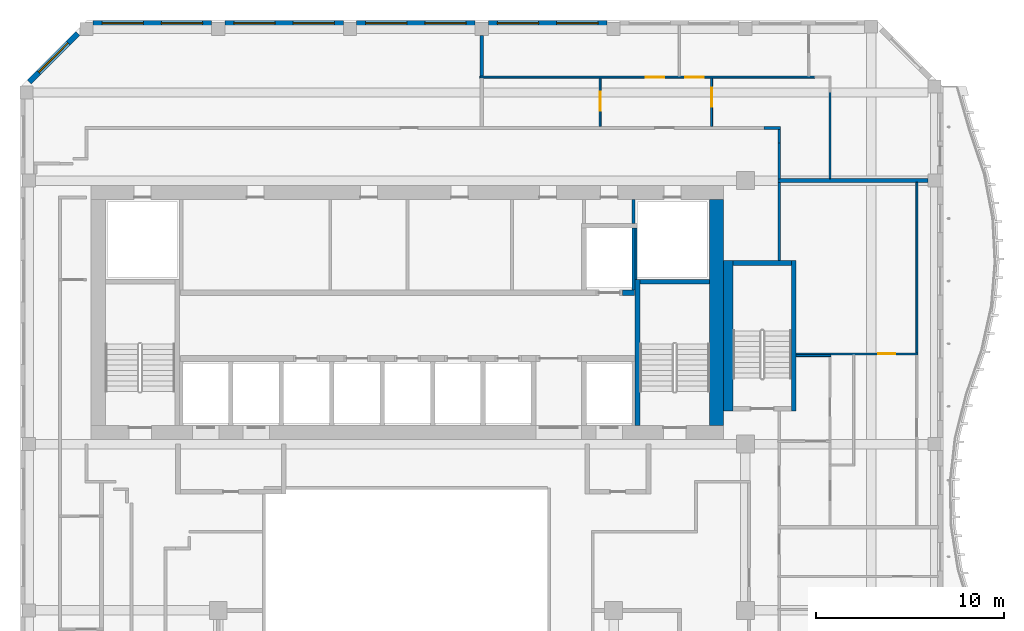
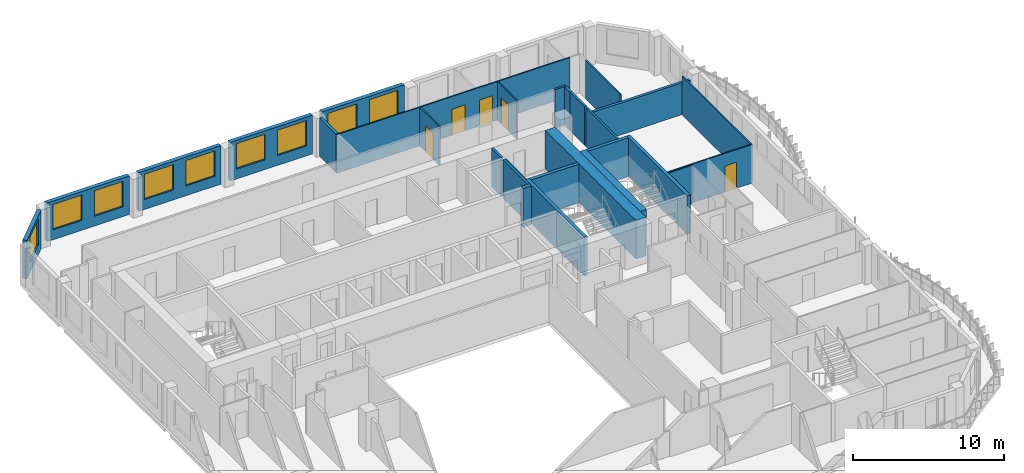
# One storey, part 8 of 18: 28 walls, 9 windows, 5 doors, 14 openings.
"""IFC4 building model written with IfcOpenShell, lengths in metres."""

from ifc_helpers import new_model, si_unit, direction, frame, frame_2d, origin, place, context, subcontext, project, spatial, rectangle, extrude, source, transform, mapped, material, layer, layer_set, type_object, element, fill, save


model = new_model("IFC4")

# Units and contexts
model_context = context("Model", 3, precision=1e-05, world=origin(), true_north=direction((0.0, 1.0)))
body_context = subcontext(model_context, "Body", "Model", "MODEL_VIEW")
ifc_project = project(units=[si_unit("LENGTHUNIT", "METRE"), si_unit("AREAUNIT", "SQUARE_METRE"), si_unit("VOLUMEUNIT", "CUBIC_METRE"), si_unit("PLANEANGLEUNIT", "RADIAN"), si_unit("MASSUNIT", "GRAM", prefix="KILO")], contexts=[model_context])

# Site, building, storey
site_placement = place(None, origin())
site = spatial("IfcSite", under=ifc_project, at=site_placement, CompositionType="ELEMENT")
building_placement = place(site_placement, origin())
building = spatial("IfcBuilding", under=site, at=building_placement, Name="Kilnfold Tower and Market Hall", CompositionType="ELEMENT")
storey_placement = place(building_placement, frame((0.0, 0.0, 249.199951171875)))
storey = spatial("IfcBuildingStorey", under=building, at=storey_placement, Name="L60", CompositionType="ELEMENT", Elevation=249.199951171875)

# Walls
ifc_material_1 = material(Name="Gypsum board on steel studs", Category="steel")
ifc_layer_1 = layer(ifc_material_1, 0.14990234375)
ifc_layer_set_1 = layer_set([ifc_layer_1], Name="Gypsum board on steel studs")
wall_type_1 = type_object("IfcWallType", Name="WALL CORRIDOR 150", PredefinedType="PARTITIONING", material=ifc_layer_set_1)
wall_1_placement = place(storey_placement, frame((20.800048828125, 17.75, 0.0), z_axis=(0.0, 0.0, 1.0), x_axis=(0.0, 1.0, 0.0)))
element("IfcWall", 1, at=wall_1_placement, inside=storey, type_object=wall_type_1, Name="Partition LY37.16", PredefinedType="PARTITIONING", context=body_context, shape_type="SweptSolid", body=[
    extrude(rectangle(XDim=4.159912109375, YDim=0.14990234375, at=frame_2d((2.080078125, 0.0))), origin(), (0.0, 0.0, 1.0), 3.1201171875),
])
wall_2_placement = place(storey_placement, frame((20.876953125, 24.802001953125, 0.0), z_axis=(0.0, 0.0, 1.0), x_axis=(-1.0, 0.0, 0.0)))
element("IfcWall", 2, at=wall_2_placement, inside=storey, type_object=wall_type_1, Name="Partition LY37.19", PredefinedType="PARTITIONING", context=body_context, shape_type="SweptSolid", body=[
    extrude(rectangle(XDim=0.87890625, YDim=0.14990234375, at=frame_2d((0.439453125, 0.0))), origin(), (0.0, 0.0, 1.0), 3.1201171875),
])
wall_3_placement = place(storey_placement, frame((20.802001953125, 23.998046875, 0.0), z_axis=(0.0, 0.0, 1.0), x_axis=(0.0, 1.0, 0.0)))
element("IfcWall", 3, at=wall_3_placement, inside=storey, type_object=wall_type_1, Name="Partition LY37.20", PredefinedType="PARTITIONING", context=body_context, shape_type="SweptSolid", body=[
    extrude(rectangle(XDim=0.72900390625, YDim=0.14990234375, at=frame_2d((0.364501953125, 0.0))), origin(), (0.0, 0.0, 1.0), 3.1201171875),
])
wall_4_placement = place(storey_placement, frame((20.800048828125, 22.090087890625, 0.0), z_axis=(0.0, 0.0, 1.0), x_axis=(0.0, 1.0, 0.0)))
element("IfcWall", 4, at=wall_4_placement, inside=storey, type_object=wall_type_1, Name="Partition LY37.21", PredefinedType="PARTITIONING", context=body_context, shape_type="SweptSolid", body=[
    extrude(rectangle(XDim=1.907958984375, YDim=0.14990234375, at=frame_2d((0.9541015625, 0.0))), origin(), (0.0, 0.0, 1.0), 3.1201171875),
])
ifc_material_2 = material(Name="Gypsum board on steel studs", Category="steel")
ifc_layer_2 = layer(ifc_material_2, 0.10009765625)
ifc_layer_set_2 = layer_set([ifc_layer_2], Name="Gypsum board on steel studs")
wall_type_2 = type_object("IfcWallType", Name="WALL PARTITION 100", PredefinedType="PARTITIONING", material=ifc_layer_set_2)
wall_5_placement = place(storey_placement, frame((28.111083984375, 12.841064453125, 0.0), z_axis=(0.0, 0.0, 1.0), x_axis=(0.0, 1.0, 0.0)))
element("IfcWall", 5, at=wall_5_placement, inside=storey, type_object=wall_type_2, Name="Partition LY37.83", PredefinedType="PARTITIONING", context=body_context, shape_type="SweptSolid", body=[
    extrude(rectangle(XDim=9.058837890625, YDim=0.10009765625, at=frame_2d((4.529296875, 0.0))), origin(), (0.0, 0.0, 1.0), 3.1201171875),
])

# Wall, opening, door
wall_6_placement = place(storey_placement, frame((21.699951171875, 12.791015625, 0.0), z_axis=(0.0, 0.0, 1.0), x_axis=(1.0, 0.0, 0.0)))
wall_6 = element("IfcWall", 6, at=wall_6_placement, inside=storey, type_object=wall_type_2, Name="Partition LY37.85", PredefinedType="PARTITIONING", context=body_context, shape_type="SweptSolid", body=[
    extrude(rectangle(XDim=6.4609375, YDim=0.10009765625, at=frame_2d((3.23046875, 0.0))), origin(), (0.0, 0.0, 1.0), 3.1201171875),
])
opening_1_placement = place(wall_6_placement, frame((4.35595703125, 0.0, 0.0)))
opening_1 = element("IfcOpeningElement", 7, at=opening_1_placement, cuts=wall_6, Name="Opening D2", PredefinedType="OPENING", context=body_context, shape_type="SweptSolid", body=[
    extrude(rectangle(XDim=0.89990234375, YDim=2.10009765625, at=frame_2d((0.449951171875, 1.050048828125))), frame((0.0, 0.06005859375, 0.0), z_axis=(0.0, -1.0, 0.0), x_axis=(1.0, 0.0, 0.0)), (0.0, 0.0, 1.0), 0.1201171875),
])
ifc_material_3 = material(Name="Timber veneer door leaf in steel frame", Category="steel")
door_type_1 = type_object("IfcDoorType", Name="DOOR ROOM 900 X2100", OperationType="NOTDEFINED", PredefinedType="DOOR", material=ifc_material_3)
door_1_placement = place(opening_1_placement, origin())
door_1 = element("IfcDoor", 8, at=door_1_placement, inside=storey, type_object=door_type_1, Name="Door D2", OperationType="SINGLE_SWING_LEFT", OverallHeight=2.10009765625, OverallWidth=0.89990234375, PredefinedType="DOOR", context=body_context, shape_type="SweptSolid", body=[
    extrude(rectangle(XDim=0.89990234375, YDim=2.10009765625, at=frame_2d((0.449951171875, 1.050048828125))), frame((0.0, 0.02490234375, 0.0), z_axis=(0.0, -1.0, 0.0), x_axis=(1.0, 0.0, 0.0)), (0.0, 0.0, 1.0), 0.050048828125),
])
fill(opening_1, door_1)

# Wall
wall_7_placement = place(storey_placement, frame((23.550048828125, 12.699951171875, 0.0), z_axis=(0.0, 0.0, 1.0), x_axis=(-1.0, 0.0, 0.0)))
element("IfcWall", 9, at=wall_7_placement, inside=storey, type_object=wall_type_2, Name="Partition LY37.88", PredefinedType="PARTITIONING", context=body_context, shape_type="SweptSolid", body=[
    extrude(rectangle(XDim=1.85009765625, YDim=0.10009765625, at=frame_2d((0.925048828125, 0.0))), origin(), (0.0, 0.0, 1.0), 3.1201171875),
])

# Wall, opening, door
wall_8_placement = place(storey_placement, frame((11.2900390625, 24.876953125, 0.0), z_axis=(0.0, 0.0, 1.0), x_axis=(0.0, 1.0, 0.0)))
wall_8 = element("IfcWall", 10, at=wall_8_placement, inside=storey, type_object=wall_type_2, Name="Partition LY37.90", PredefinedType="PARTITIONING", context=body_context, shape_type="SweptSolid", body=[
    extrude(rectangle(XDim=2.572998046875, YDim=0.10009765625, at=frame_2d((1.28662109375, 0.0))), origin(), (0.0, 0.0, 1.0), 3.1201171875),
])
opening_2_placement = place(wall_8_placement, frame((0.840087890625, 0.0, 0.0)))
opening_2 = element("IfcOpeningElement", 11, at=opening_2_placement, cuts=wall_8, Name="Opening D1", PredefinedType="OPENING", context=body_context, shape_type="SweptSolid", body=[
    extrude(rectangle(XDim=1.0, YDim=2.10009765625, at=frame_2d((0.5, 1.050048828125))), frame((0.0, 0.06005859375, 0.0), z_axis=(0.0, -1.0, 0.0), x_axis=(1.0, 0.0, 0.0)), (0.0, 0.0, 1.0), 0.1201171875),
])
ifc_material_4 = material(Name="Timber veneer door leaf in steel frame", Category="steel")
door_type_2 = type_object("IfcDoorType", Name="DOOR ENTRY 1000 X2100", OperationType="NOTDEFINED", PredefinedType="DOOR", material=ifc_material_4)
door_2_placement = place(opening_2_placement, origin())
door_2 = element("IfcDoor", 12, at=door_2_placement, inside=storey, type_object=door_type_2, Name="Door D1", OperationType="SINGLE_SWING_RIGHT", OverallHeight=2.10009765625, OverallWidth=1.0, PredefinedType="DOOR", context=body_context, shape_type="SweptSolid", body=[
    extrude(rectangle(XDim=1.0, YDim=2.10009765625, at=frame_2d((0.5, 1.050048828125))), frame((0.0, 0.02490234375, 0.0), z_axis=(0.0, -1.0, 0.0), x_axis=(1.0, 0.0, 0.0)), (0.0, 0.0, 1.0), 0.050048828125),
])
fill(opening_2, door_2)

# Wall, openings, doors
wall_9_placement = place(storey_placement, frame((4.89990234375, 27.5, 0.0), z_axis=(0.0, 0.0, 1.0), x_axis=(1.0, 0.0, 0.0)))
wall_9 = element("IfcWall", 13, at=wall_9_placement, inside=storey, type_object=wall_type_2, Name="Partition LY37.91", PredefinedType="PARTITIONING", context=body_context, shape_type="SweptSolid", body=[
    extrude(rectangle(XDim=17.798095703125, YDim=0.10009765625, at=frame_2d((8.89892578125, 0.0))), origin(), (0.0, 0.0, 1.0), 3.1201171875),
])
opening_3_placement = place(wall_9_placement, frame((8.805908203125, 0.0, 0.0)))
opening_3 = element("IfcOpeningElement", 14, at=opening_3_placement, cuts=wall_9, Name="Opening D1", PredefinedType="OPENING", context=body_context, shape_type="SweptSolid", body=[
    extrude(rectangle(XDim=1.0, YDim=2.10009765625, at=frame_2d((0.5, 1.050048828125))), frame((0.0, 0.06005859375, 0.0), z_axis=(0.0, -1.0, 0.0), x_axis=(1.0, 0.0, 0.0)), (0.0, 0.0, 1.0), 0.1201171875),
])
opening_4_placement = place(wall_9_placement, frame((10.89697265625, 0.0, 0.0)))
opening_4 = element("IfcOpeningElement", 15, at=opening_4_placement, cuts=wall_9, Name="Opening D1", PredefinedType="OPENING", context=body_context, shape_type="SweptSolid", body=[
    extrude(rectangle(XDim=1.0, YDim=2.10009765625, at=frame_2d((0.5, 1.050048828125))), frame((0.0, 0.06005859375, 0.0), z_axis=(0.0, -1.0, 0.0), x_axis=(1.0, 0.0, 0.0)), (0.0, 0.0, 1.0), 0.1201171875),
])
door_3_placement = place(opening_3_placement, origin())
door_3 = element("IfcDoor", 16, at=door_3_placement, inside=storey, type_object=door_type_2, Name="Door D1", OperationType="SINGLE_SWING_LEFT", OverallHeight=2.10009765625, OverallWidth=1.0, PredefinedType="DOOR", context=body_context, shape_type="SweptSolid", body=[
    extrude(rectangle(XDim=1.0, YDim=2.10009765625, at=frame_2d((0.5, 1.050048828125))), frame((0.0, 0.02490234375, 0.0), z_axis=(0.0, -1.0, 0.0), x_axis=(1.0, 0.0, 0.0)), (0.0, 0.0, 1.0), 0.050048828125),
])
fill(opening_3, door_3)
door_4_placement = place(opening_4_placement, origin())
door_4 = element("IfcDoor", 17, at=door_4_placement, inside=storey, type_object=door_type_2, Name="Door D1", OperationType="SINGLE_SWING_LEFT", OverallHeight=2.10009765625, OverallWidth=1.0, PredefinedType="DOOR", context=body_context, shape_type="SweptSolid", body=[
    extrude(rectangle(XDim=1.0, YDim=2.10009765625, at=frame_2d((0.5, 1.050048828125))), frame((0.0, 0.02490234375, 0.0), z_axis=(0.0, -1.0, 0.0), x_axis=(1.0, 0.0, 0.0)), (0.0, 0.0, 1.0), 0.050048828125),
])
fill(opening_4, door_4)

# Wall, opening, door
wall_10_placement = place(storey_placement, frame((17.2099609375, 24.876953125, 0.0), z_axis=(0.0, 0.0, 1.0), x_axis=(0.0, 1.0, 0.0)))
wall_10 = element("IfcWall", 18, at=wall_10_placement, inside=storey, type_object=wall_type_2, Name="Partition LY37.93", PredefinedType="PARTITIONING", context=body_context, shape_type="SweptSolid", body=[
    extrude(rectangle(XDim=2.572998046875, YDim=0.10009765625, at=frame_2d((1.28662109375, 0.0))), origin(), (0.0, 0.0, 1.0), 3.1201171875),
])
opening_5_placement = place(wall_10_placement, frame((1.052978515625, 0.0, 0.0)))
opening_5 = element("IfcOpeningElement", 19, at=opening_5_placement, cuts=wall_10, Name="Opening D1", PredefinedType="OPENING", context=body_context, shape_type="SweptSolid", body=[
    extrude(rectangle(XDim=1.0, YDim=2.10009765625, at=frame_2d((0.5, 1.050048828125))), frame((0.0, 0.06005859375, 0.0), z_axis=(0.0, -1.0, 0.0), x_axis=(1.0, 0.0, 0.0)), (0.0, 0.0, 1.0), 0.1201171875),
])
door_5_placement = place(opening_5_placement, origin())
door_5 = element("IfcDoor", 20, at=door_5_placement, inside=storey, type_object=door_type_2, Name="Door D1", OperationType="SINGLE_SWING_LEFT", OverallHeight=2.10009765625, OverallWidth=1.0, PredefinedType="DOOR", context=body_context, shape_type="SweptSolid", body=[
    extrude(rectangle(XDim=1.0, YDim=2.10009765625, at=frame_2d((0.5, 1.050048828125))), frame((0.0, 0.02490234375, 0.0), z_axis=(0.0, -1.0, 0.0), x_axis=(1.0, 0.0, 0.0)), (0.0, 0.0, 1.0), 0.050048828125),
])
fill(opening_5, door_5)

# Walls
wall_11_placement = place(storey_placement, frame((23.5, 22.10009765625, 0.0), z_axis=(0.0, 0.0, 1.0), x_axis=(0.0, 1.0, 0.0)))
element("IfcWall", 21, at=wall_11_placement, inside=storey, type_object=wall_type_2, Name="Partition LY37.96", PredefinedType="PARTITIONING", context=body_context, shape_type="SweptSolid", body=[
    extrude(rectangle(XDim=4.597900390625, YDim=0.10009765625, at=frame_2d((2.298828125, 0.0))), origin(), (0.0, 0.0, 1.0), 3.1201171875),
])
ifc_material_5 = material(Name="Gypsum board on steel studs", Category="steel")
ifc_layer_3 = layer(ifc_material_5, 0.199951171875)
ifc_layer_set_3 = layer_set([ifc_layer_3], Name="Gypsum board on steel studs")
wall_type_3 = type_object("IfcWallType", Name="WALL PARTY 200", PredefinedType="PARTITIONING", material=ifc_layer_set_3)
wall_12_placement = place(storey_placement, frame((20.72705078125, 22.0, 0.0), z_axis=(0.0, 0.0, 1.0), x_axis=(1.0, 0.0, 0.0)))
element("IfcWall", 22, at=wall_12_placement, inside=storey, type_object=wall_type_3, Name="Partition LY37.84", PredefinedType="PARTITIONING", context=body_context, shape_type="SweptSolid", body=[
    extrude(rectangle(XDim=7.972900390625, YDim=0.199951171875, at=frame_2d((3.986328125, 0.0))), origin(), (0.0, 0.0, 1.0), 2.570068359375),
])
wall_13_placement = place(storey_placement, frame((5.0, 27.552001953125, 0.0), z_axis=(0.0, 0.0, 1.0), x_axis=(0.0, 1.0, 0.0)))
element("IfcWall", 23, at=wall_13_placement, inside=storey, type_object=wall_type_3, Name="Partition LY37.98", PredefinedType="PARTITIONING", context=body_context, shape_type="SweptSolid", body=[
    extrude(rectangle(XDim=2.14794921875, YDim=0.199951171875, at=frame_2d((1.073974609375, 0.0))), origin(), (0.0, 0.0, 1.0), 3.1201171875),
])
ifc_material_6 = material(Name="Concrete C60", Category="concrete")
ifc_layer_4 = layer(ifc_material_6, 0.25)
ifc_layer_set_4 = layer_set([ifc_layer_4], Name="Concrete C60")
wall_type_4 = type_object("IfcWallType", Name="CORE WALL 250 C60", PredefinedType="SHEAR", material=ifc_layer_set_4)
shared_shape_1 = source(origin(), body_context, "Body", "SweptSolid", [
    extrude(rectangle(XDim=7.75, YDim=0.25, at=frame_2d((3.875, 0.0))), origin(), (0.0, 0.0, 1.0), 3.1201171875),
])
wall_14_placement = place(storey_placement, frame((13.27490234375, 9.0, 0.0), z_axis=(0.0, 0.0, 1.0), x_axis=(0.0, 1.0, 0.0)))
element("IfcWall", 24, at=wall_14_placement, inside=storey, type_object=wall_type_4, Name="Stair enclosure ST2", PredefinedType="SHEAR", context=body_context, shape_type="MappedRepresentation", body=[
    mapped(shared_shape_1, transform((0.0, 0.0, 0.0))),
])
shared_shape_2 = source(origin(), body_context, "Body", "SweptSolid", [
    extrude(rectangle(XDim=3.7001953125, YDim=0.25, at=frame_2d((1.85009765625, 0.0))), origin(), (0.0, 0.0, 1.0), 3.1201171875),
])
wall_15_placement = place(storey_placement, frame((13.39990234375, 16.625, 0.0), z_axis=(0.0, 0.0, 1.0), x_axis=(1.0, 0.0, 0.0)))
element("IfcWall", 25, at=wall_15_placement, inside=storey, type_object=wall_type_4, Name="Stair enclosure ST2", PredefinedType="SHEAR", context=body_context, shape_type="MappedRepresentation", body=[
    mapped(shared_shape_2, transform((0.0, 0.0, 0.0))),
])
shared_shape_3 = source(origin(), body_context, "Body", "SweptSolid", [
    extrude(rectangle(XDim=8.0, YDim=0.25, at=frame_2d((4.0, 0.0))), origin(), (0.0, 0.0, 1.0), 3.1201171875),
])
wall_16_placement = place(storey_placement, frame((21.574951171875, 9.75, 0.0), z_axis=(0.0, 0.0, 1.0), x_axis=(0.0, 1.0, 0.0)))
element("IfcWall", 26, at=wall_16_placement, inside=storey, type_object=wall_type_4, Name="Stair enclosure ST5", PredefinedType="SHEAR", context=body_context, shape_type="MappedRepresentation", body=[
    mapped(shared_shape_3, transform((0.0, 0.0, 0.0))),
])
shared_shape_4 = source(origin(), body_context, "Body", "SweptSolid", [
    extrude(rectangle(XDim=3.099853515625, YDim=0.25, at=frame_2d((1.5498046875, 0.0))), origin(), (0.0, 0.0, 1.0), 3.1201171875),
])
wall_17_placement = place(storey_placement, frame((18.35009765625, 17.625, 0.0), z_axis=(0.0, 0.0, 1.0), x_axis=(1.0, 0.0, 0.0)))
element("IfcWall", 27, at=wall_17_placement, inside=storey, type_object=wall_type_4, Name="Stair enclosure ST5", PredefinedType="SHEAR", context=body_context, shape_type="MappedRepresentation", body=[
    mapped(shared_shape_4, transform((0.0, 0.0, 0.0))),
])
ifc_material_7 = material(Name="Concrete C60", Category="concrete")
ifc_layer_5 = layer(ifc_material_7, 0.300048828125)
ifc_layer_set_5 = layer_set([ifc_layer_5], Name="Concrete C60")
wall_type_5 = type_object("IfcWallType", Name="CORE WALL 300 C60", PredefinedType="SHEAR", material=ifc_layer_set_5)
shared_shape_5 = source(origin(), body_context, "Body", "SweptSolid", [
    extrude(rectangle(XDim=0.64013671875, YDim=0.300048828125, at=frame_2d((0.320068359375, 0.0))), origin(), (0.0, 0.0, 1.0), 3.1201171875),
])
wall_18_placement = place(storey_placement, frame((12.469970703125, 16.050048828125, 0.0), z_axis=(0.0, 0.0, 1.0), x_axis=(1.0, 0.0, 0.0)))
element("IfcWall", 28, at=wall_18_placement, inside=storey, type_object=wall_type_5, Name="Core spine wall", PredefinedType="SHEAR", context=body_context, shape_type="MappedRepresentation", body=[
    mapped(shared_shape_5, transform((0.0, 0.0, 0.0))),
])
ifc_material_8 = material(Name="Concrete C60", Category="concrete")
ifc_layer_6 = layer(ifc_material_8, 0.75)
ifc_layer_set_6 = layer_set([ifc_layer_6], Name="Concrete C60")
wall_type_6 = type_object("IfcWallType", Name="CORE WALL 750 C60", PredefinedType="SHEAR", material=ifc_layer_set_6)
shared_shape_6 = source(origin(), body_context, "Body", "SweptSolid", [
    extrude(rectangle(XDim=12.0, YDim=0.75, at=frame_2d((6.0, 0.0))), origin(), (0.0, 0.0, 1.0), 3.1201171875),
])
wall_19_placement = place(storey_placement, frame((17.47509765625, 9.0, 0.0), z_axis=(0.0, 0.0, 1.0), x_axis=(0.0, 1.0, 0.0)))
element("IfcWall", 29, at=wall_19_placement, inside=storey, type_object=wall_type_6, Name="Core outer wall east", PredefinedType="SHEAR", context=body_context, shape_type="MappedRepresentation", body=[
    mapped(shared_shape_6, transform((0.0, 0.0, 0.0))),
])
ifc_material_9 = material(Name="Concrete C60", Category="concrete")
ifc_layer_7 = layer(ifc_material_9, 0.5)
ifc_layer_set_7 = layer_set([ifc_layer_7], Name="Concrete C60")
wall_type_7 = type_object("IfcWallType", Name="CORE WALL 500 C60", PredefinedType="SHEAR", material=ifc_layer_set_7)
shared_shape_7 = source(origin(), body_context, "Body", "SweptSolid", [
    extrude(rectangle(XDim=8.0, YDim=0.5, at=frame_2d((4.0, 0.0))), origin(), (0.0, 0.0, 1.0), 3.1201171875),
])
wall_20_placement = place(storey_placement, frame((18.10009765625, 9.75, 0.0), z_axis=(0.0, 0.0, 1.0), x_axis=(0.0, 1.0, 0.0)))
element("IfcWall", 30, at=wall_20_placement, inside=storey, type_object=wall_type_7, Name="Stair enclosure ST5", PredefinedType="SHEAR", context=body_context, shape_type="MappedRepresentation", body=[
    mapped(shared_shape_7, transform((0.0, 0.0, 0.0))),
])

# Wall, openings, windows
ifc_material_10 = material(Name="Precast concrete C50/60", Category="concrete")
ifc_layer_8 = layer(ifc_material_10, 0.300048828125)
ifc_layer_set_8 = layer_set([ifc_layer_8], Name="Precast concrete C50/60")
wall_type_8 = type_object("IfcWallType", Name="PRECAST WALL 300", PredefinedType="SOLIDWALL", material=ifc_layer_set_8)
shared_shape_8 = source(origin(), body_context, "Body", "SweptSolid", [
    extrude(rectangle(XDim=6.2998046875, YDim=0.300048828125, at=frame_2d((3.14990234375, 0.0))), origin(), (0.0, 0.0, 1.0), 3.1201171875),
])
wall_21_placement = place(storey_placement, frame((11.64990234375, 30.35009765625, 0.0), z_axis=(0.0, 0.0, 1.0), x_axis=(-1.0, 0.0, 0.0)))
wall_21 = element("IfcWall", 31, at=wall_21_placement, inside=storey, type_object=wall_type_8, Name="External wall L60 N", PredefinedType="SOLIDWALL", context=body_context, shape_type="MappedRepresentation", body=[
    mapped(shared_shape_8, transform((0.0, 0.0, 0.0))),
])
opening_6_placement = place(wall_21_placement, frame((0.47509765625, 0.0, 0.800048828125)))
opening_6 = element("IfcOpeningElement", 32, at=opening_6_placement, cuts=wall_21, Name="Opening W3", PredefinedType="OPENING", context=body_context, shape_type="SweptSolid", body=[
    extrude(rectangle(XDim=2.199951171875, YDim=2.050048828125, at=frame_2d((1.10009765625, 1.02490234375))), frame((0.0, 0.16015625, 0.0), z_axis=(0.0, -1.0, 0.0), x_axis=(1.0, 0.0, 0.0)), (0.0, 0.0, 1.0), 0.320068359375),
])
opening_7_placement = place(wall_21_placement, frame((3.625, 0.0, 0.800048828125)))
opening_7 = element("IfcOpeningElement", 33, at=opening_7_placement, cuts=wall_21, Name="Opening W3", PredefinedType="OPENING", context=body_context, shape_type="SweptSolid", body=[
    extrude(rectangle(XDim=2.199951171875, YDim=2.050048828125, at=frame_2d((1.10009765625, 1.02490234375))), frame((0.0, 0.16015625, 0.0), z_axis=(0.0, -1.0, 0.0), x_axis=(1.0, 0.0, 0.0)), (0.0, 0.0, 1.0), 0.320068359375),
])
ifc_material_11 = material(Name="Aluminium frame and double glazing", Category="aluminium")
window_type = type_object("IfcWindowType", Name="WINDOW W3 2200X2050", PartitioningType="SINGLE_PANEL", PredefinedType="WINDOW", material=ifc_material_11)
window_1_placement = place(opening_6_placement, origin())
window_1 = element("IfcWindow", 34, at=window_1_placement, inside=storey, type_object=window_type, Name="Window W3 L60 N-1", OverallHeight=2.050048828125, OverallWidth=2.199951171875, PartitioningType="SINGLE_PANEL", PredefinedType="WINDOW", context=body_context, shape_type="SweptSolid", body=[
    extrude(rectangle(XDim=2.199951171875, YDim=2.050048828125, at=frame_2d((1.10009765625, 1.02490234375))), frame((0.0, 0.030029296875, 0.0), z_axis=(0.0, -1.0, 0.0), x_axis=(1.0, 0.0, 0.0)), (0.0, 0.0, 1.0), 0.06005859375),
])
fill(opening_6, window_1)
window_2_placement = place(opening_7_placement, origin())
window_2 = element("IfcWindow", 35, at=window_2_placement, inside=storey, type_object=window_type, Name="Window W3 L60 N-2", OverallHeight=2.050048828125, OverallWidth=2.199951171875, PartitioningType="SINGLE_PANEL", PredefinedType="WINDOW", context=body_context, shape_type="SweptSolid", body=[
    extrude(rectangle(XDim=2.199951171875, YDim=2.050048828125, at=frame_2d((1.10009765625, 1.02490234375))), frame((0.0, 0.030029296875, 0.0), z_axis=(0.0, -1.0, 0.0), x_axis=(1.0, 0.0, 0.0)), (0.0, 0.0, 1.0), 0.06005859375),
])
fill(opening_7, window_2)

wall_22_placement = place(storey_placement, frame((4.64990234375, 30.35009765625, 0.0), z_axis=(0.0, 0.0, 1.0), x_axis=(-1.0, 0.0, 0.0)))
wall_22 = element("IfcWall", 36, at=wall_22_placement, inside=storey, type_object=wall_type_8, Name="External wall L60 N", PredefinedType="SOLIDWALL", context=body_context, shape_type="MappedRepresentation", body=[
    mapped(shared_shape_8, transform((0.0, 0.0, 0.0))),
])
opening_8_placement = place(wall_22_placement, frame((0.47509765625, 0.0, 0.800048828125)))
opening_8 = element("IfcOpeningElement", 37, at=opening_8_placement, cuts=wall_22, Name="Opening W3", PredefinedType="OPENING", context=body_context, shape_type="SweptSolid", body=[
    extrude(rectangle(XDim=2.199951171875, YDim=2.050048828125, at=frame_2d((1.10009765625, 1.02490234375))), frame((0.0, 0.16015625, 0.0), z_axis=(0.0, -1.0, 0.0), x_axis=(1.0, 0.0, 0.0)), (0.0, 0.0, 1.0), 0.320068359375),
])
opening_9_placement = place(wall_22_placement, frame((3.625, 0.0, 0.800048828125)))
opening_9 = element("IfcOpeningElement", 38, at=opening_9_placement, cuts=wall_22, Name="Opening W3", PredefinedType="OPENING", context=body_context, shape_type="SweptSolid", body=[
    extrude(rectangle(XDim=2.199951171875, YDim=2.050048828125, at=frame_2d((1.10009765625, 1.02490234375))), frame((0.0, 0.16015625, 0.0), z_axis=(0.0, -1.0, 0.0), x_axis=(1.0, 0.0, 0.0)), (0.0, 0.0, 1.0), 0.320068359375),
])
window_3_placement = place(opening_8_placement, origin())
window_3 = element("IfcWindow", 39, at=window_3_placement, inside=storey, type_object=window_type, Name="Window W3 L60 N-1", OverallHeight=2.050048828125, OverallWidth=2.199951171875, PartitioningType="SINGLE_PANEL", PredefinedType="WINDOW", context=body_context, shape_type="SweptSolid", body=[
    extrude(rectangle(XDim=2.199951171875, YDim=2.050048828125, at=frame_2d((1.10009765625, 1.02490234375))), frame((0.0, 0.030029296875, 0.0), z_axis=(0.0, -1.0, 0.0), x_axis=(1.0, 0.0, 0.0)), (0.0, 0.0, 1.0), 0.06005859375),
])
fill(opening_8, window_3)
window_4_placement = place(opening_9_placement, origin())
window_4 = element("IfcWindow", 40, at=window_4_placement, inside=storey, type_object=window_type, Name="Window W3 L60 N-2", OverallHeight=2.050048828125, OverallWidth=2.199951171875, PartitioningType="SINGLE_PANEL", PredefinedType="WINDOW", context=body_context, shape_type="SweptSolid", body=[
    extrude(rectangle(XDim=2.199951171875, YDim=2.050048828125, at=frame_2d((1.10009765625, 1.02490234375))), frame((0.0, 0.030029296875, 0.0), z_axis=(0.0, -1.0, 0.0), x_axis=(1.0, 0.0, 0.0)), (0.0, 0.0, 1.0), 0.06005859375),
])
fill(opening_9, window_4)

wall_23_placement = place(storey_placement, frame((-2.35009765625, 30.35009765625, 0.0), z_axis=(0.0, 0.0, 1.0), x_axis=(-1.0, 0.0, 0.0)))
wall_23 = element("IfcWall", 41, at=wall_23_placement, inside=storey, type_object=wall_type_8, Name="External wall L60 N", PredefinedType="SOLIDWALL", context=body_context, shape_type="MappedRepresentation", body=[
    mapped(shared_shape_8, transform((0.0, 0.0, 0.0))),
])
opening_10_placement = place(wall_23_placement, frame((0.47509765625, 0.0, 0.800048828125)))
opening_10 = element("IfcOpeningElement", 42, at=opening_10_placement, cuts=wall_23, Name="Opening W3", PredefinedType="OPENING", context=body_context, shape_type="SweptSolid", body=[
    extrude(rectangle(XDim=2.199951171875, YDim=2.050048828125, at=frame_2d((1.10009765625, 1.02490234375))), frame((0.0, 0.16015625, 0.0), z_axis=(0.0, -1.0, 0.0), x_axis=(1.0, 0.0, 0.0)), (0.0, 0.0, 1.0), 0.320068359375),
])
opening_11_placement = place(wall_23_placement, frame((3.625, 0.0, 0.800048828125)))
opening_11 = element("IfcOpeningElement", 43, at=opening_11_placement, cuts=wall_23, Name="Opening W3", PredefinedType="OPENING", context=body_context, shape_type="SweptSolid", body=[
    extrude(rectangle(XDim=2.199951171875, YDim=2.050048828125, at=frame_2d((1.10009765625, 1.02490234375))), frame((0.0, 0.16015625, 0.0), z_axis=(0.0, -1.0, 0.0), x_axis=(1.0, 0.0, 0.0)), (0.0, 0.0, 1.0), 0.320068359375),
])
window_5_placement = place(opening_10_placement, origin())
window_5 = element("IfcWindow", 44, at=window_5_placement, inside=storey, type_object=window_type, Name="Window W3 L60 N-1", OverallHeight=2.050048828125, OverallWidth=2.199951171875, PartitioningType="SINGLE_PANEL", PredefinedType="WINDOW", context=body_context, shape_type="SweptSolid", body=[
    extrude(rectangle(XDim=2.199951171875, YDim=2.050048828125, at=frame_2d((1.10009765625, 1.02490234375))), frame((0.0, 0.030029296875, 0.0), z_axis=(0.0, -1.0, 0.0), x_axis=(1.0, 0.0, 0.0)), (0.0, 0.0, 1.0), 0.06005859375),
])
fill(opening_10, window_5)
window_6_placement = place(opening_11_placement, origin())
window_6 = element("IfcWindow", 45, at=window_6_placement, inside=storey, type_object=window_type, Name="Window W3 L60 N-2", OverallHeight=2.050048828125, OverallWidth=2.199951171875, PartitioningType="SINGLE_PANEL", PredefinedType="WINDOW", context=body_context, shape_type="SweptSolid", body=[
    extrude(rectangle(XDim=2.199951171875, YDim=2.050048828125, at=frame_2d((1.10009765625, 1.02490234375))), frame((0.0, 0.030029296875, 0.0), z_axis=(0.0, -1.0, 0.0), x_axis=(1.0, 0.0, 0.0)), (0.0, 0.0, 1.0), 0.06005859375),
])
fill(opening_11, window_6)

wall_24_placement = place(storey_placement, frame((-9.35009765625, 30.35009765625, 0.0), z_axis=(0.0, 0.0, 1.0), x_axis=(-1.0, 0.0, 0.0)))
wall_24 = element("IfcWall", 46, at=wall_24_placement, inside=storey, type_object=wall_type_8, Name="External wall L60 N", PredefinedType="SOLIDWALL", context=body_context, shape_type="MappedRepresentation", body=[
    mapped(shared_shape_8, transform((0.0, 0.0, 0.0))),
])
opening_12_placement = place(wall_24_placement, frame((0.47509765625, 0.0, 0.800048828125)))
opening_12 = element("IfcOpeningElement", 47, at=opening_12_placement, cuts=wall_24, Name="Opening W3", PredefinedType="OPENING", context=body_context, shape_type="SweptSolid", body=[
    extrude(rectangle(XDim=2.199951171875, YDim=2.050048828125, at=frame_2d((1.10009765625, 1.02490234375))), frame((0.0, 0.16015625, 0.0), z_axis=(0.0, -1.0, 0.0), x_axis=(1.0, 0.0, 0.0)), (0.0, 0.0, 1.0), 0.320068359375),
])
opening_13_placement = place(wall_24_placement, frame((3.625, 0.0, 0.800048828125)))
opening_13 = element("IfcOpeningElement", 48, at=opening_13_placement, cuts=wall_24, Name="Opening W3", PredefinedType="OPENING", context=body_context, shape_type="SweptSolid", body=[
    extrude(rectangle(XDim=2.199951171875, YDim=2.050048828125, at=frame_2d((1.10009765625, 1.02490234375))), frame((0.0, 0.16015625, 0.0), z_axis=(0.0, -1.0, 0.0), x_axis=(1.0, 0.0, 0.0)), (0.0, 0.0, 1.0), 0.320068359375),
])
window_7_placement = place(opening_12_placement, origin())
window_7 = element("IfcWindow", 49, at=window_7_placement, inside=storey, type_object=window_type, Name="Window W3 L60 N-1", OverallHeight=2.050048828125, OverallWidth=2.199951171875, PartitioningType="SINGLE_PANEL", PredefinedType="WINDOW", context=body_context, shape_type="SweptSolid", body=[
    extrude(rectangle(XDim=2.199951171875, YDim=2.050048828125, at=frame_2d((1.10009765625, 1.02490234375))), frame((0.0, 0.030029296875, 0.0), z_axis=(0.0, -1.0, 0.0), x_axis=(1.0, 0.0, 0.0)), (0.0, 0.0, 1.0), 0.06005859375),
])
fill(opening_12, window_7)
window_8_placement = place(opening_13_placement, origin())
window_8 = element("IfcWindow", 50, at=window_8_placement, inside=storey, type_object=window_type, Name="Window W3 L60 N-2", OverallHeight=2.050048828125, OverallWidth=2.199951171875, PartitioningType="SINGLE_PANEL", PredefinedType="WINDOW", context=body_context, shape_type="SweptSolid", body=[
    extrude(rectangle(XDim=2.199951171875, YDim=2.050048828125, at=frame_2d((1.10009765625, 1.02490234375))), frame((0.0, 0.030029296875, 0.0), z_axis=(0.0, -1.0, 0.0), x_axis=(1.0, 0.0, 0.0)), (0.0, 0.0, 1.0), 0.06005859375),
])
fill(opening_13, window_8)

# Wall, opening, window
shared_shape_9 = source(origin(), body_context, "Body", "SweptSolid", [
    extrude(rectangle(XDim=3.6416015625, YDim=0.300048828125, at=frame_2d((1.82080078125, 0.0))), origin(), (0.0, 0.0, 1.0), 3.1201171875),
])
wall_25_placement = place(storey_placement, frame((-16.468994140625, 29.81884765625, 0.0), z_axis=(0.0, 0.0, 1.0), x_axis=(-0.707106781187, -0.707106781187, 0.0)))
wall_25 = element("IfcWall", 51, at=wall_25_placement, inside=storey, type_object=wall_type_8, Name="External wall L60 NW", PredefinedType="SOLIDWALL", context=body_context, shape_type="MappedRepresentation", body=[
    mapped(shared_shape_9, transform((0.0, 0.0, 0.0))),
])
opening_14_placement = place(wall_25_placement, frame((0.720703125, 0.0, 0.800048828125)))
opening_14 = element("IfcOpeningElement", 52, at=opening_14_placement, cuts=wall_25, Name="Opening W3", PredefinedType="OPENING", context=body_context, shape_type="SweptSolid", body=[
    extrude(rectangle(XDim=2.199951171875, YDim=2.050048828125, at=frame_2d((1.10009765625, 1.02490234375))), frame((0.0, 0.16015625, 0.0), z_axis=(0.0, -1.0, 0.0), x_axis=(1.0, 0.0, 0.0)), (0.0, 0.0, 1.0), 0.320068359375),
])
window_9_placement = place(opening_14_placement, origin())
window_9 = element("IfcWindow", 53, at=window_9_placement, inside=storey, type_object=window_type, Name="Window W3 L60 NW-1", OverallHeight=2.050048828125, OverallWidth=2.199951171875, PartitioningType="SINGLE_PANEL", PredefinedType="WINDOW", context=body_context, shape_type="SweptSolid", body=[
    extrude(rectangle(XDim=2.199951171875, YDim=2.050048828125, at=frame_2d((1.10009765625, 1.02490234375))), frame((0.0, 0.030029296875, 0.0), z_axis=(0.0, -1.0, 0.0), x_axis=(1.0, 0.0, 0.0)), (0.0, 0.0, 1.0), 0.06005859375),
])
fill(opening_14, window_9)

# Walls
ifc_material_12 = material(Name="Gypsum shaft wall system")
ifc_layer_9 = layer(ifc_material_12, 0.1650390625)
ifc_layer_set_9 = layer_set([ifc_layer_9], Name="Gypsum shaft wall system")
wall_type_9 = type_object("IfcWallType", Name="SHAFT WALL 165", PredefinedType="PARTITIONING", material=ifc_layer_set_9)
shared_shape_10 = source(origin(), body_context, "Body", "SweptSolid", [
    extrude(rectangle(XDim=3.275146484375, YDim=0.1650390625, at=frame_2d((1.6376953125, 0.0))), origin(), (0.0, 0.0, 1.0), 3.1201171875),
])
wall_26_placement = place(storey_placement, frame((13.0673828125, 16.199951171875, 0.0), z_axis=(0.0, 0.0, 1.0), x_axis=(0.0, 1.0, 0.0)))
element("IfcWall", 54, at=wall_26_placement, inside=storey, type_object=wall_type_9, Name="Lift shaft wall", PredefinedType="PARTITIONING", context=body_context, shape_type="MappedRepresentation", body=[
    mapped(shared_shape_10, transform((0.0, 0.0, 0.0))),
])
shared_shape_11 = source(origin(), body_context, "Body", "SweptSolid", [
    extrude(rectangle(XDim=1.27490234375, YDim=0.1650390625, at=frame_2d((0.637451171875, 0.0))), origin(), (0.0, 0.0, 1.0), 3.1201171875),
])
wall_27_placement = place(storey_placement, frame((13.0673828125, 19.72509765625, 0.0), z_axis=(0.0, 0.0, 1.0), x_axis=(0.0, 1.0, 0.0)))
element("IfcWall", 55, at=wall_27_placement, inside=storey, type_object=wall_type_9, Name="Lift shaft wall", PredefinedType="PARTITIONING", context=body_context, shape_type="MappedRepresentation", body=[
    mapped(shared_shape_11, transform((0.0, 0.0, 0.0))),
])
ifc_material_13 = material(Name="Gypsum shaft wall system")
ifc_layer_10 = layer(ifc_material_13, 0.0849609375)
ifc_layer_set_10 = layer_set([ifc_layer_10], Name="Gypsum shaft wall system")
wall_type_10 = type_object("IfcWallType", Name="SHAFT WALL 85", PredefinedType="PARTITIONING", material=ifc_layer_set_10)
shared_shape_12 = source(origin(), body_context, "Body", "SweptSolid", [
    extrude(rectangle(XDim=2.72509765625, YDim=0.0849609375, at=frame_2d((1.362548828125, 0.0))), origin(), (0.0, 0.0, 1.0), 3.1201171875),
])
wall_28_placement = place(storey_placement, frame((13.1923828125, 16.75, 0.0), z_axis=(0.0, 0.0, 1.0), x_axis=(0.0, 1.0, 0.0)))
element("IfcWall", 56, at=wall_28_placement, inside=storey, type_object=wall_type_10, Name="Lift shaft wall", PredefinedType="PARTITIONING", context=body_context, shape_type="MappedRepresentation", body=[
    mapped(shared_shape_12, transform((0.0, 0.0, 0.0))),
])

save(model, "model.ifc")
